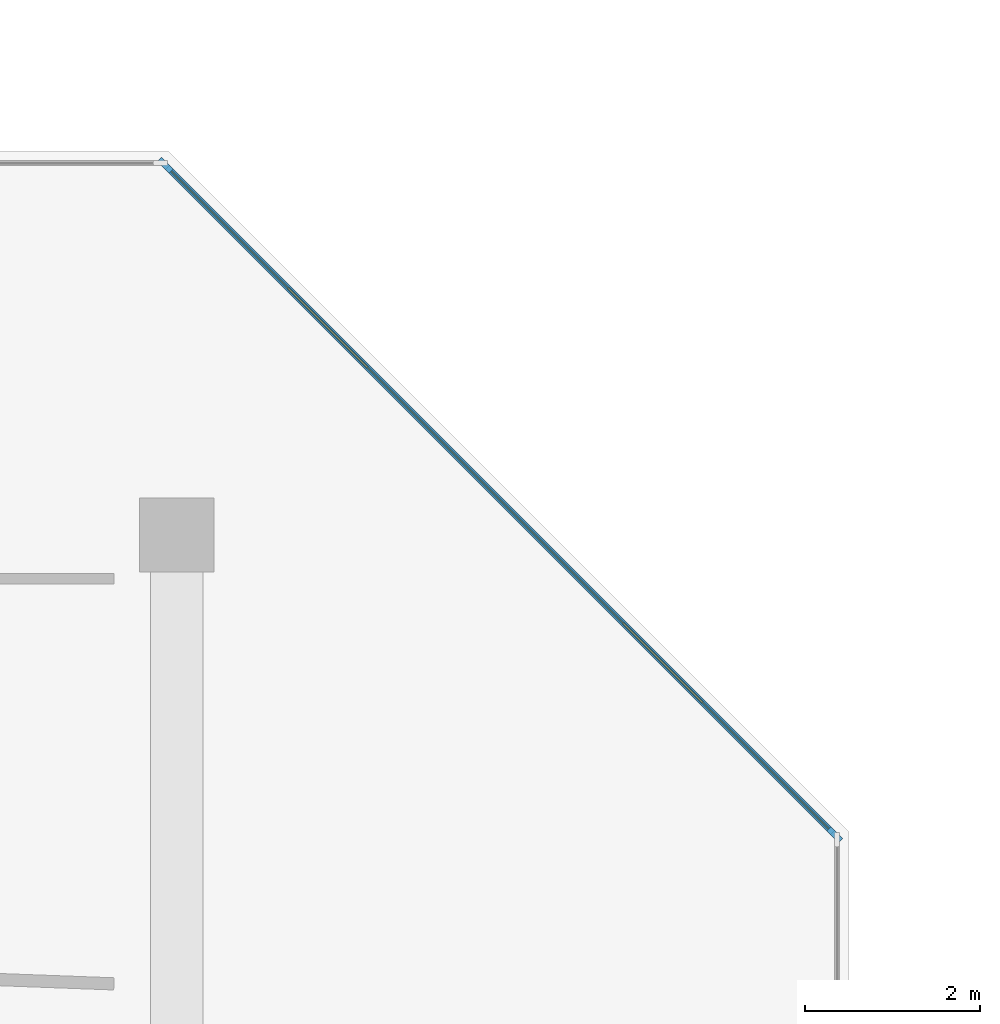
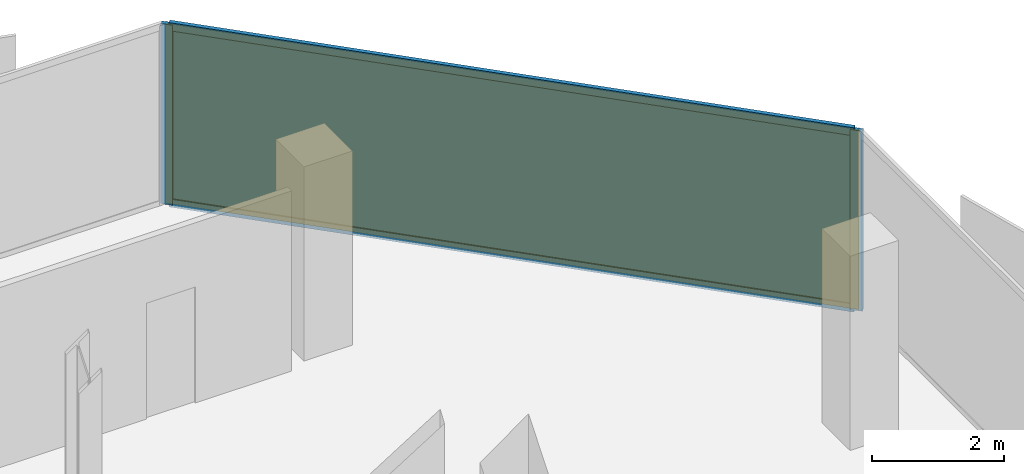
# One storey, part 12 of 16: 4 members, 1 curtain wall, 1 plate.
"""IFC4 building model written with IfcOpenShell, lengths in metres."""

from ifc_helpers import new_model, si_unit, direction, frame, frame_2d, origin, origin_2d, place, context, subcontext, project, spatial, rectangle, extrude, material, layer, layer_set, material_profile, profile_set, type_object, element, aggregate, save


model = new_model("IFC4")

# Units and contexts
model_context = context("Model", 3, precision=1e-05, world=origin(), true_north=direction((0.0, 1.0)))
body_context = subcontext(model_context, "Body", "Model", "MODEL_VIEW")
ifc_project = project(units=[si_unit("LENGTHUNIT", "METRE"), si_unit("AREAUNIT", "SQUARE_METRE"), si_unit("VOLUMEUNIT", "CUBIC_METRE"), si_unit("PLANEANGLEUNIT", "RADIAN"), si_unit("MASSUNIT", "GRAM", prefix="KILO")], contexts=[model_context])

# Member
ifc_material_1 = material(Name="Anodised Bronze Aluminium 6063-T6", Category="aluminium")
ifc_material_profile_1 = material_profile(ifc_material_1, rectangle(XDim=0.070068359375, YDim=0.18994140625, at=origin_2d()))
ifc_profile_set_1 = profile_set([ifc_material_profile_1], Name="Anodised Bronze Aluminium 6063-T6")
member_type_1 = type_object("IfcMemberType", Name="CW-SLC Mullion 70x190", PredefinedType="MULLION", material=ifc_profile_set_1)
site_placement = place(None, origin())
building_placement = place(site_placement, origin())
storey_placement = place(building_placement, frame((0.0, 0.0, 258.39990234375)))
member_1_placement = place(storey_placement, frame((14.266845703125, 24.835205078125, 0.0), z_axis=(0.0, 0.0, 1.0), x_axis=(0.707106781187, 0.707106781187, 0.0)))
member_1 = element("IfcMember", 1, at=member_1_placement, type_object=member_type_1, Name="CW-SLC mullion 1", PredefinedType="MULLION", context=body_context, shape_type="SweptSolid", body=[
    extrude(rectangle(XDim=0.070068359375, YDim=0.18994140625, at=origin_2d()), origin(), (0.0, 0.0, 1.0), 3.340087890625),
])

member_2_placement = place(storey_placement, frame((21.935302734375, 17.166748046875, 0.0), z_axis=(0.0, 0.0, 1.0), x_axis=(0.707106781187, 0.707106781187, 0.0)))
member_2 = element("IfcMember", 2, at=member_2_placement, type_object=member_type_1, Name="CW-SLC mullion 2", PredefinedType="MULLION", context=body_context, shape_type="SweptSolid", body=[
    extrude(rectangle(XDim=0.070068359375, YDim=0.18994140625, at=origin_2d()), origin(), (0.0, 0.0, 1.0), 3.340087890625),
])

ifc_material_2 = material(Name="Anodised Bronze Aluminium 6063-T6", Category="aluminium")
ifc_material_profile_2 = material_profile(ifc_material_2, rectangle(XDim=0.070068359375, YDim=0.14990234375, at=origin_2d()))
ifc_profile_set_2 = profile_set([ifc_material_profile_2], Name="Anodised Bronze Aluminium 6063-T6")
member_type_2 = type_object("IfcMemberType", Name="CW-SLC Transom 70x150", PredefinedType="USERDEFINED", material=ifc_profile_set_2)
member_3_placement = place(storey_placement, frame((14.29150390625, 24.810546875, 0.03515625), z_axis=(0.70709545198, -0.707118110212, 0.0), x_axis=(0.707118110212, 0.70709545198, 0.0)))
member_3 = element("IfcMember", 3, at=member_3_placement, type_object=member_type_2, Name="CW-SLC transom 1.1", ObjectType="TRANSOM", PredefinedType="USERDEFINED", context=body_context, shape_type="SweptSolid", body=[
    extrude(rectangle(XDim=0.070068359375, YDim=0.14990234375, at=origin_2d()), origin(), (0.0, 0.0, 1.0), 10.77490234375),
])

member_4_placement = place(storey_placement, frame((14.29150390625, 24.810546875, 3.30517578125), z_axis=(0.70709545198, -0.707118110212, 0.0), x_axis=(0.707118110212, 0.70709545198, 0.0)))
member_4 = element("IfcMember", 4, at=member_4_placement, type_object=member_type_2, Name="CW-SLC transom 1.2", ObjectType="TRANSOM", PredefinedType="USERDEFINED", context=body_context, shape_type="SweptSolid", body=[
    extrude(rectangle(XDim=0.070068359375, YDim=0.14990234375, at=origin_2d()), origin(), (0.0, 0.0, 1.0), 10.77490234375),
])

# Plate
ifc_material_3 = material(Name="Low-E Solar Control Laminated Glass", Category="glass")
ifc_layer_1 = layer(ifc_material_3, 0.033935546875, Name="Low-E Solar Control Laminated Glass")
ifc_layer_set_1 = layer_set([ifc_layer_1], Name="Low-E Solar Control Laminated Glass")
plate_type = type_object("IfcPlateType", Name="CW-SLC Low-E Double Glazed Panel 34mm", PredefinedType="CURTAIN_PANEL", material=ifc_layer_set_1)
plate_placement = place(storey_placement, frame((18.10107421875, 21.0009765625, 0.0703125), z_axis=(0.0, 0.0, 1.0), x_axis=(0.707106781187, -0.707106781187, 0.0)))
plate = element("IfcPlate", 5, at=plate_placement, type_object=plate_type, Name="CW-SLC panel 1.1", PredefinedType="CURTAIN_PANEL", context=body_context, shape_type="SweptSolid", body=[
    extrude(rectangle(XDim=10.77490234375, YDim=0.033935546875, at=origin_2d()), origin(), (0.0, 0.0, 1.0), 3.199951171875),
])

# Site, building, storey
site = spatial("IfcSite", under=ifc_project, at=site_placement, CompositionType="ELEMENT")
building = spatial("IfcBuilding", under=site, at=building_placement, Name="Khairoan Windgate Tower", CompositionType="ELEMENT")
storey = spatial("IfcBuildingStorey", under=building, at=storey_placement, Name="L61", CompositionType="ELEMENT", Elevation=258.39990234375)

# Curtain wall
ifc_material_4 = material(Name="Anodised Bronze Aluminium 6063-T6", Category="aluminium")
ifc_layer_2 = layer(ifc_material_4, 0.18994140625, Name="Anodised Bronze Aluminium 6063-T6")
ifc_layer_set_2 = layer_set([ifc_layer_2], Name="Anodised Bronze Aluminium 6063-T6")
curtain_wall_type = type_object("IfcCurtainWallType", Name="Diagonal Corner-Slice Facet Curtain Wall CW-SLC", PredefinedType="NOTDEFINED", material=ifc_layer_set_2)
curtain_wall_placement = place(storey_placement, frame((14.241943359375, 24.860107421875, 0.0), z_axis=(0.0, 0.0, 1.0), x_axis=(0.707106781187, -0.707106781187, 0.0)))
curtain_wall = element("IfcCurtainWall", 6, at=curtain_wall_placement, inside=storey, type_object=curtain_wall_type, Name="L61 Crystal Slice Curtain Wall 10", PredefinedType="NOTDEFINED", context=body_context, shape_type="SweptSolid", body=[
    extrude(rectangle(XDim=10.9150390625, YDim=0.010009765625, at=frame_2d((5.45751953125, 0.0))), origin(), (0.0, 0.0, 1.0), 3.340087890625),
])

aggregate(curtain_wall, [member_1, member_2, member_3, member_4, plate])

save(model, "model.ifc")
